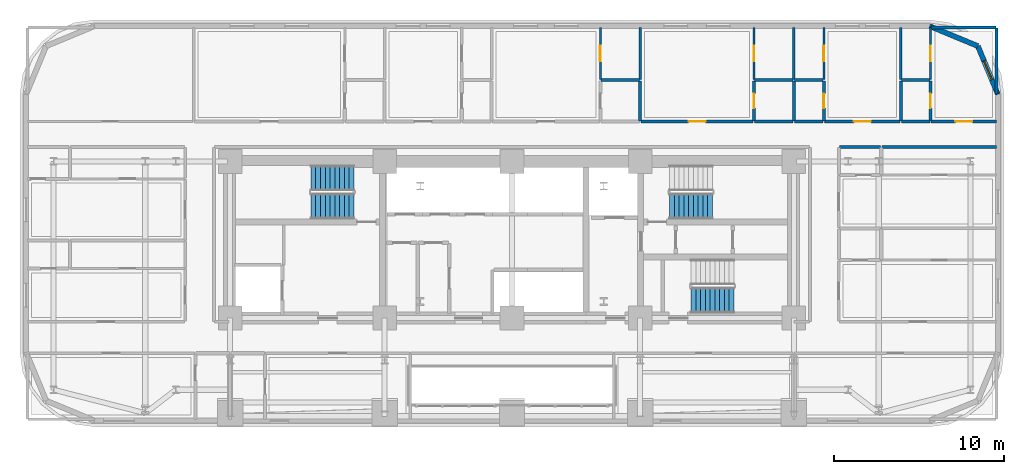
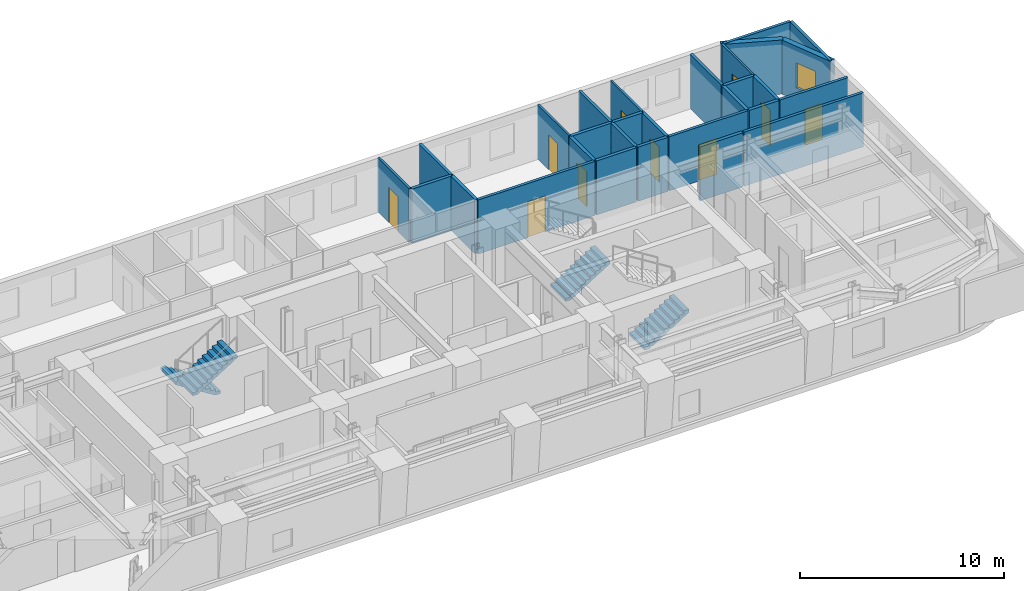
# One storey, part 11 of 15: 29 walls, 10 doors, 4 stair flights, 1 window, 11 openings, 3 elements without a shape of their own.
"""IFC4 building model written with IfcOpenShell, lengths in metres."""

import ifcopenshell
import ifcopenshell.guid

model = None  # the IFC model being written
_history = None  # IfcOwnerHistory: only IFC2X3 demands one
_inside = {}  # id of a spatial element -> (the spatial element, [elements in it])
_under = {}  # id of a project, library or spatial element -> (it, [spatial elements below it])
_declared = {}  # id of a project -> (the project, [libraries it declares])
_typed = {}  # id of a type object -> (the type object, [elements of that type])
_made_of = {}  # id of a material, layer set ... -> (it, [elements and type objects made of it])


def new_model(schema):
    """Start an empty IFC model of exactly this schema.

    Asked for "IFC4X3", IfcOpenShell would pick the latest addendum, in which some entities
    have other attributes; the version numbers below select the first issue.
    IFC2X3 requires an IfcOwnerHistory on every rooted entity: one is made here for all.
    """
    global model, _history
    if schema == "IFC4X3":
        model = ifcopenshell.file(schema_version=(4, 3, 0, 0))
    else:
        model = ifcopenshell.file(schema=schema)
    _inside.clear()
    _under.clear()
    _declared.clear()
    _typed.clear()
    _made_of.clear()
    _history = None
    if model.schema == "IFC2X3":
        org = make("IfcOrganization", Name="unknown")
        user = make(
            "IfcPersonAndOrganization",
            ThePerson=make("IfcPerson", FamilyName="unknown"),
            TheOrganization=org,
        )
        app = make(
            "IfcApplication",
            ApplicationDeveloper=org,
            Version="unknown",
            ApplicationFullName="unknown",
            ApplicationIdentifier="unknown",
        )
        _history = make(
            "IfcOwnerHistory",
            OwningUser=user,
            OwningApplication=app,
            ChangeAction="ADDED",
            CreationDate=0,
        )
    return model


def make(cls, **values):
    """One entity of the class cls with the attributes given. An attribute that is None is left unset."""
    return model.create_entity(
        cls, **{name: value for name, value in values.items() if value is not None}
    )


def rooted(cls, **values):
    """An entity with a GlobalId (a new one), such as an element, a storey or a relation."""
    return make(cls, GlobalId=ifcopenshell.guid.new(), OwnerHistory=_history, **values)


def si_unit(unit_type, name, prefix=None):
    """IfcSIUnit, for example si_unit("LENGTHUNIT", "METRE", prefix="MILLI")."""
    return make("IfcSIUnit", UnitType=unit_type, Prefix=prefix, Name=name)


def assignment(units):
    """IfcUnitAssignment: the units of a project."""
    return None if units is None else make("IfcUnitAssignment", Units=units)


def point(xyz):
    """IfcCartesianPoint."""
    return None if xyz is None else make("IfcCartesianPoint", Coordinates=xyz)


def direction(xyz):
    """IfcDirection."""
    return None if xyz is None else make("IfcDirection", DirectionRatios=xyz)


def frame(location, z_axis=None, x_axis=None):
    """IfcAxis2Placement3D, a coordinate frame: its origin and axes. An axis left out is left unset."""
    return make(
        "IfcAxis2Placement3D",
        Location=point(location),
        Axis=direction(z_axis),
        RefDirection=direction(x_axis),
    )


def frame_2d(location, x_axis=None):
    """IfcAxis2Placement2D, a coordinate frame in the plane: its origin and x axis."""
    return make(
        "IfcAxis2Placement2D", Location=point(location), RefDirection=direction(x_axis)
    )


def origin():
    """The frame at (0, 0, 0) with its axes left unset."""
    return frame((0.0, 0.0, 0.0))


def place(relative_to, where):
    """IfcLocalPlacement: puts the frame where relative to a parent placement (None: the world)."""
    return make(
        "IfcLocalPlacement", PlacementRelTo=relative_to, RelativePlacement=where
    )


def context(
    kind, dimensions, precision=None, world=None, true_north=None, identifier=None
):
    """IfcGeometricRepresentationContext, for example the 3D "Model" context."""
    return make(
        "IfcGeometricRepresentationContext",
        ContextIdentifier=identifier,
        ContextType=kind,
        CoordinateSpaceDimension=dimensions,
        Precision=precision,
        WorldCoordinateSystem=world,
        TrueNorth=true_north,
    )


def subcontext(parent, identifier, kind, view, scale=None):
    """IfcGeometricRepresentationSubContext, for example "Body" below "Model"."""
    return make(
        "IfcGeometricRepresentationSubContext",
        ContextIdentifier=identifier,
        ContextType=kind,
        ParentContext=parent,
        TargetScale=scale,
        TargetView=view,
    )


def project(units=None, contexts=None):
    """IfcProject with its units and contexts."""
    return rooted(
        "IfcProject",
        Name="project",
        RepresentationContexts=contexts,
        UnitsInContext=assignment(units),
    )


def spatial(cls, under=None, at=None, **own):
    """A site, building, storey or space (cls), placed at a placement, below another one or the project."""
    s = rooted(cls, ObjectPlacement=at, **own)
    if under is not None:
        _under.setdefault(under.id(), (under, []))[1].append(s)
    return s


def polyline(points):
    """IfcPolyline through the points."""
    return make("IfcPolyline", Points=[point(p) for p in points])


def profile(cls, at=None, kind="AREA", **sizes):
    """A parametric profile (cls). Its sizes go by their IFC names, for example OverallWidth=200.0."""
    return make(cls, ProfileType=kind, Position=at, **sizes)


def rectangle(**sizes):
    """IfcRectangleProfileDef."""
    return profile("IfcRectangleProfileDef", **sizes)


def outline(outer, holes=None, kind="AREA"):
    """IfcArbitraryClosedProfileDef: a profile drawn as a closed curve; with holes, ...WithVoids."""
    if holes is None:
        return make("IfcArbitraryClosedProfileDef", ProfileType=kind, OuterCurve=outer)
    return make(
        "IfcArbitraryProfileDefWithVoids",
        ProfileType=kind,
        OuterCurve=outer,
        InnerCurves=holes,
    )


def extrude(swept, where, along, depth):
    """IfcExtrudedAreaSolid: the profile swept, set in the frame where, extruded along a direction by depth."""
    return make(
        "IfcExtrudedAreaSolid",
        SweptArea=swept,
        Position=where,
        ExtrudedDirection=direction(along),
        Depth=depth,
    )


def shape(context_of_items, identifier, shape_type, items):
    """IfcShapeRepresentation: the items that make up one representation, for example the "Body"."""
    return make(
        "IfcShapeRepresentation",
        ContextOfItems=context_of_items,
        RepresentationIdentifier=identifier,
        RepresentationType=shape_type,
        Items=items,
    )


def material(Name=None, Category=None):
    """IfcMaterial."""
    return make("IfcMaterial", Name=Name, Category=Category)


def layer(
    of_material, thickness, ventilated=None, Name=None, Category=None, Priority=None
):
    """IfcMaterialLayer: one layer of a wall or slab, of a material (None: an air gap)."""
    return make(
        "IfcMaterialLayer",
        Material=of_material,
        LayerThickness=thickness,
        IsVentilated=ventilated,
        Name=Name,
        Category=Category,
        Priority=Priority,
    )


def layer_set(layers, Name=None):
    """IfcMaterialLayerSet."""
    return make("IfcMaterialLayerSet", MaterialLayers=layers, LayerSetName=Name)


def made_of(thing, what):
    """Note that an element or type object is made of a material, layer set ...; save() writes the relation."""
    if what is not None:
        _made_of.setdefault(what.id(), (what, []))[1].append(thing)
    return thing


def type_object(cls, material=None, **own):
    """A type object (cls), such as IfcWallType, which elements share."""
    return made_of(rooted(cls, **own), material)


def element(
    cls,
    number,
    at=None,
    inside=None,
    cuts=None,
    type_object=None,
    material=None,
    context=None,
    identifier="Body",
    shape_type=None,
    held_by="IfcProductDefinitionShape",
    body=None,
    shapes=None,
    **own,
):
    """One element of the class cls, such as IfcWall. Its Tag is "e" and its number.

    at: its placement. inside: the storey or other place that contains it. cuts: it is an
    opening in that element (IfcRelVoidsElement). A single representation is given by context,
    identifier, shape_type and body (its items); several are given by shapes. held_by: the class
    of the entity that holds the representations. save() writes the other relations.
    """
    e = rooted(cls, Tag="e%d" % number, ObjectPlacement=at, **own)
    if body is not None:
        shapes = [shape(context, identifier, shape_type, body)]
    if shapes is not None:
        e.Representation = make(held_by, Representations=shapes)
    if inside is not None:
        _inside.setdefault(inside.id(), (inside, []))[1].append(e)
    if cuts is not None:
        rooted(
            "IfcRelVoidsElement", RelatingBuildingElement=cuts, RelatedOpeningElement=e
        )
    if type_object is not None:
        _typed.setdefault(type_object.id(), (type_object, []))[1].append(e)
    return made_of(e, material)


def fill(opening, filler):
    """IfcRelFillsElement: the door or window that sits in an opening."""
    return rooted(
        "IfcRelFillsElement",
        RelatingOpeningElement=opening,
        RelatedBuildingElement=filler,
    )


def aggregate(whole, parts):
    """IfcRelAggregates: a whole, such as a stair, and the parts it consists of."""
    return rooted("IfcRelAggregates", RelatingObject=whole, RelatedObjects=parts)


def save(model, path):
    """Write the relations noted so far, then the file.

    IfcRelAggregates (storeys below a building ...), IfcRelContainedInSpatialStructure (elements
    in a storey), IfcRelDefinesByType, IfcRelAssociatesMaterial and IfcRelDeclares: one each for
    every whole, place, type object, material and project.
    """
    for whole, parts in _under.values():
        aggregate(whole, parts)
    for where, things in _inside.values():
        rooted(
            "IfcRelContainedInSpatialStructure",
            RelatedElements=things,
            RelatingStructure=where,
        )
    for kind, things in _typed.values():
        rooted("IfcRelDefinesByType", RelatedObjects=things, RelatingType=kind)
    for what, things in _made_of.values():
        rooted("IfcRelAssociatesMaterial", RelatedObjects=things, RelatingMaterial=what)
    for by, libraries in _declared.values():
        rooted("IfcRelDeclares", RelatingContext=by, RelatedDefinitions=libraries)
    model.write(path)


model = new_model("IFC4")

# Units and contexts
model_context = context("Model", 3, precision=1e-05, world=origin(), true_north=direction((0.0, 1.0)))
body_context = subcontext(model_context, "Body", "Model", "MODEL_VIEW")
ifc_project = project(units=[si_unit("LENGTHUNIT", "METRE"), si_unit("AREAUNIT", "SQUARE_METRE"), si_unit("VOLUMEUNIT", "CUBIC_METRE"), si_unit("PLANEANGLEUNIT", "RADIAN"), si_unit("MASSUNIT", "GRAM", prefix="KILO")], contexts=[model_context])

# Site, building, storey
site_placement = place(None, origin())
site = spatial("IfcSite", under=ifc_project, at=site_placement, CompositionType="ELEMENT")
building_placement = place(site_placement, origin())
building = spatial("IfcBuilding", under=site, at=building_placement, Name="Zarnavel Station Tower", CompositionType="ELEMENT")
storey_placement = place(building_placement, frame((0.0, 0.0, 43.0)))
storey = spatial("IfcBuildingStorey", under=building, at=storey_placement, Name="L11", CompositionType="ELEMENT", Elevation=43.0)

# Wall, opening, window
ifc_material_1 = material(Name="Precast concrete C45/55 (Dark Basalt Finish)", Category="masonry")
ifc_layer_1 = layer(ifc_material_1, 0.300048828125)
ifc_layer_set_1 = layer_set([ifc_layer_1], Name="EW_BASALT_300")
wall_type_1 = type_object("IfcWallType", Name="EW_BASALT_300", PredefinedType="SOLIDWALL", material=ifc_layer_set_1)
wall_1_placement = place(storey_placement, frame((56.24267578125, 43.842529296875, 0.0), z_axis=(0.0, 0.0, 1.0), x_axis=(0.382636798336, -0.92389884758, 0.0)))
wall_1 = element("IfcWall", 1, at=wall_1_placement, inside=storey, type_object=wall_type_1, Name="L11 Exterior Basalt Masonry Frame Wall 04", PredefinedType="SOLIDWALL", context=body_context, shape_type="SweptSolid", body=[
    extrude(rectangle(XDim=3.07666015625, YDim=0.300048828125, at=frame_2d((1.538330078125, 0.0))), origin(), (0.0, 0.0, 1.0), 3.239990234375),
])
opening_1_placement = place(wall_1_placement, frame((0.9384765625, 0.0, 0.75)))
opening_1 = element("IfcOpeningElement", 2, at=opening_1_placement, cuts=wall_1, Name="Opening WN08", PredefinedType="OPENING", context=body_context, shape_type="SweptSolid", body=[
    extrude(rectangle(XDim=1.199951171875, YDim=1.5, at=frame_2d((0.60009765625, 0.75))), frame((0.0, 0.159912109375, 0.0), z_axis=(0.0, -1.0, 0.0), x_axis=(1.0, 0.0, 0.0)), (0.0, 0.0, 1.0), 0.320068359375),
])
ifc_material_2 = material(Name="Thermally Broken Black Aluminium and Low-E Dark Glass", Category="aluminium")
window_type = type_object("IfcWindowType", Name="WN_1200x1500", PartitioningType="SINGLE_PANEL", PredefinedType="WINDOW", material=ifc_material_2)
window_placement = place(opening_1_placement, origin())
window = element("IfcWindow", 3, at=window_placement, inside=storey, type_object=window_type, Name="L11 Recessed Facade Window 01", OverallHeight=1.5, OverallWidth=1.199951171875, PartitioningType="SINGLE_PANEL", PredefinedType="WINDOW", context=body_context, shape_type="SweptSolid", body=[
    extrude(rectangle(XDim=1.199951171875, YDim=1.5, at=frame_2d((0.60009765625, 0.75))), frame((0.0, 0.030029296875, 0.0), z_axis=(0.0, -1.0, 0.0), x_axis=(1.0, 0.0, 0.0)), (0.0, 0.0, 1.0), 0.06005859375),
])
fill(opening_1, window)

# Walls
wall_2_placement = place(storey_placement, frame((53.39990234375, 45.02001953125, 0.0), z_axis=(0.0, 0.0, 1.0), x_axis=(0.923882414032, -0.382676475685, 0.0)))
element("IfcWall", 4, at=wall_2_placement, inside=storey, type_object=wall_type_1, Name="L11 Exterior Basalt Masonry Frame Wall 05", PredefinedType="SOLIDWALL", context=body_context, shape_type="SweptSolid", body=[
    extrude(rectangle(XDim=3.076904296875, YDim=0.300048828125, at=frame_2d((1.53857421875, 0.0))), origin(), (0.0, 0.0, 1.0), 3.239990234375),
])
ifc_material_3 = material(Name="Gypsum Twin-Stud Acoustic Fire Partition", Category="concrete")
ifc_layer_2 = layer(ifc_material_3, 0.159912109375)
ifc_layer_set_2 = layer_set([ifc_layer_2], Name="PT_DEMISE_160")
wall_type_2 = type_object("IfcWallType", Name="PT_DEMISE_160", PredefinedType="PARTITIONING", material=ifc_layer_set_2)
wall_3_placement = place(storey_placement, frame((50.590087890625, 37.89990234375, 0.0), z_axis=(0.0, 0.0, 1.0), x_axis=(1.0, 0.0, 0.0)))
element("IfcWall", 5, at=wall_3_placement, inside=storey, type_object=wall_type_2, Name="L11 Partition COR-N-FNE2S", PredefinedType="PARTITIONING", context=body_context, shape_type="SweptSolid", body=[
    extrude(rectangle(XDim=6.75, YDim=0.159912109375, at=frame_2d((3.375, 0.0))), origin(), (0.0, 0.0, 1.0), 3.239990234375),
])

# Wall, opening, door
wall_4_placement = place(storey_placement, frame((36.389892578125, 39.39990234375, 0.0), z_axis=(0.0, 0.0, 1.0), x_axis=(1.0, 0.0, 0.0)))
wall_4 = element("IfcWall", 6, at=wall_4_placement, inside=storey, type_object=wall_type_2, Name="L11 Partition COR-N-HN4R", PredefinedType="PARTITIONING", context=body_context, shape_type="SweptSolid", body=[
    extrude(rectangle(XDim=6.6201171875, YDim=0.159912109375, at=frame_2d((3.31005859375, 0.0))), origin(), (0.0, 0.0, 1.0), 3.239990234375),
])
opening_2_placement = place(wall_4_placement, frame((2.81005859375, 0.0, 0.0)))
opening_2 = element("IfcOpeningElement", 7, at=opening_2_placement, cuts=wall_4, Name="Opening FD02", PredefinedType="OPENING", context=body_context, shape_type="SweptSolid", body=[
    extrude(rectangle(XDim=1.0, YDim=2.14990234375, at=frame_2d((0.5, 1.074951171875))), frame((0.0, 0.08984375, 0.0), z_axis=(0.0, -1.0, 0.0), x_axis=(1.0, 0.0, 0.0)), (0.0, 0.0, 1.0), 0.179931640625),
])
ifc_material_4 = material(Name="Painted Galvanised Steel and Hardwood Leaf", Category="steel")
door_type_1 = type_object("IfcDoorType", Name="ID_ENTRY_1000", OperationType="NOTDEFINED", PredefinedType="DOOR", material=ifc_material_4)
door_1_placement = place(opening_2_placement, origin())
door_1 = element("IfcDoor", 8, at=door_1_placement, inside=storey, type_object=door_type_1, Name="L11 Door COR-N-HN4R", OperationType="SINGLE_SWING_RIGHT", OverallHeight=2.14990234375, OverallWidth=1.0, PredefinedType="DOOR", context=body_context, shape_type="SweptSolid", body=[
    extrude(rectangle(XDim=1.0, YDim=2.14990234375, at=frame_2d((0.5, 1.074951171875))), frame((0.0, 0.02490234375, 0.0), z_axis=(0.0, -1.0, 0.0), x_axis=(1.0, 0.0, 0.0)), (0.0, 0.0, 1.0), 0.050048828125),
])
fill(opening_2, door_1)

wall_5_placement = place(storey_placement, frame((47.205078125, 39.39990234375, 0.0), z_axis=(0.0, 0.0, 1.0), x_axis=(1.0, 0.0, 0.0)))
wall_5 = element("IfcWall", 9, at=wall_5_placement, inside=storey, type_object=wall_type_2, Name="L11 Partition COR-N-HN5R", PredefinedType="PARTITIONING", context=body_context, shape_type="SweptSolid", body=[
    extrude(rectangle(XDim=4.458984375, YDim=0.159912109375, at=frame_2d((2.2294921875, 0.0))), origin(), (0.0, 0.0, 1.0), 3.239990234375),
])
opening_3_placement = place(wall_5_placement, frame((1.7294921875, 0.0, 0.0)))
opening_3 = element("IfcOpeningElement", 10, at=opening_3_placement, cuts=wall_5, Name="Opening FD02", PredefinedType="OPENING", context=body_context, shape_type="SweptSolid", body=[
    extrude(rectangle(XDim=1.0, YDim=2.14990234375, at=frame_2d((0.5, 1.074951171875))), frame((0.0, 0.08984375, 0.0), z_axis=(0.0, -1.0, 0.0), x_axis=(1.0, 0.0, 0.0)), (0.0, 0.0, 1.0), 0.179931640625),
])
door_2_placement = place(opening_3_placement, origin())
door_2 = element("IfcDoor", 11, at=door_2_placement, inside=storey, type_object=door_type_1, Name="L11 Door COR-N-HN5R", OperationType="SINGLE_SWING_LEFT", OverallHeight=2.14990234375, OverallWidth=1.0, PredefinedType="DOOR", context=body_context, shape_type="SweptSolid", body=[
    extrude(rectangle(XDim=1.0, YDim=2.14990234375, at=frame_2d((0.5, 1.074951171875))), frame((0.0, 0.02490234375, 0.0), z_axis=(0.0, -1.0, 0.0), x_axis=(1.0, 0.0, 0.0)), (0.0, 0.0, 1.0), 0.050048828125),
])
fill(opening_3, door_2)

wall_6_placement = place(storey_placement, frame((53.493896484375, 39.39990234375, 0.0), z_axis=(0.0, 0.0, 1.0), x_axis=(1.0, 0.0, 0.0)))
wall_6 = element("IfcWall", 12, at=wall_6_placement, inside=storey, type_object=wall_type_2, Name="L11 Partition COR-N-HN6R", PredefinedType="PARTITIONING", context=body_context, shape_type="SweptSolid", body=[
    extrude(rectangle(XDim=3.84619140625, YDim=0.159912109375, at=frame_2d((1.923095703125, 0.0))), origin(), (0.0, 0.0, 1.0), 3.239990234375),
])
opening_4_placement = place(wall_6_placement, frame((1.423095703125, 0.0, 0.0)))
opening_4 = element("IfcOpeningElement", 13, at=opening_4_placement, cuts=wall_6, Name="Opening FD02", PredefinedType="OPENING", context=body_context, shape_type="SweptSolid", body=[
    extrude(rectangle(XDim=1.0, YDim=2.14990234375, at=frame_2d((0.5, 1.074951171875))), frame((0.0, 0.08984375, 0.0), z_axis=(0.0, -1.0, 0.0), x_axis=(1.0, 0.0, 0.0)), (0.0, 0.0, 1.0), 0.179931640625),
])
door_3_placement = place(opening_4_placement, origin())
door_3 = element("IfcDoor", 14, at=door_3_placement, inside=storey, type_object=door_type_1, Name="L11 Door COR-N-HN6R", OperationType="SINGLE_SWING_RIGHT", OverallHeight=2.14990234375, OverallWidth=1.0, PredefinedType="DOOR", context=body_context, shape_type="SweptSolid", body=[
    extrude(rectangle(XDim=1.0, YDim=2.14990234375, at=frame_2d((0.5, 1.074951171875))), frame((0.0, 0.02490234375, 0.0), z_axis=(0.0, -1.0, 0.0), x_axis=(1.0, 0.0, 0.0)), (0.0, 0.0, 1.0), 0.050048828125),
])
fill(opening_4, door_3)

# Walls
for number, where, z_axis, x_axis, name in (
    (15, (36.35009765625, 41.8779296875, 0.0), (0.0, 0.0, 1.0), (0.0, 1.0, 0.0), "L11 Partition HN3S-HN4R"),
    (16, (45.39990234375, 41.8779296875, 0.0), (0.0, 0.0, 1.0), (0.0, 1.0, 0.0), "L11 Partition HN4S-HN5S"),
    (17, (51.7041015625, 41.8779296875, 0.0), (0.0, 0.0, 1.0), (0.0, 1.0, 0.0), "L11 Partition HN5R-HN6S"),
):
    element("IfcWall", number, at=place(storey_placement, frame(where, z_axis=z_axis, x_axis=x_axis)), inside=storey, type_object=wall_type_2, Name=name, PredefinedType="PARTITIONING", context=body_context, shape_type="SweptSolid", body=[
        extrude(rectangle(XDim=3.06201171875, YDim=0.159912109375, at=frame_2d((1.531005859375, 0.0))), origin(), (0.0, 0.0, 1.0), 3.239990234375),
    ])
wall_7_placement = place(storey_placement, frame((53.48388671875, 44.93994140625, 0.0), z_axis=(0.0, 0.0, 1.0), x_axis=(1.0, 0.0, 0.0)))
element("IfcWall", 18, at=wall_7_placement, inside=storey, type_object=wall_type_2, Name="L11 Enclosure Wall HN6R", PredefinedType="PARTITIONING", context=body_context, shape_type="SweptSolid", body=[
    extrude(rectangle(XDim=3.826171875, YDim=0.159912109375, at=frame_2d((1.9130859375, 0.0))), origin(), (0.0, 0.0, 1.0), 3.239990234375),
])
wall_8_placement = place(storey_placement, frame((57.340087890625, 41.030029296875, 0.0), z_axis=(0.0, 0.0, 1.0), x_axis=(0.0, 1.0, 0.0)))
element("IfcWall", 19, at=wall_8_placement, inside=storey, type_object=wall_type_2, Name="L11 Enclosure Wall HN6R", PredefinedType="PARTITIONING", context=body_context, shape_type="SweptSolid", body=[
    extrude(rectangle(XDim=3.8798828125, YDim=0.159912109375, at=frame_2d((1.93994140625, 0.0))), origin(), (0.0, 0.0, 1.0), 3.239990234375),
])

# Wall, opening, door
ifc_material_5 = material(Name="Gypsum Metal-Stud Interior Partition", Category="concrete")
ifc_layer_3 = layer(ifc_material_5, 0.1201171875)
ifc_layer_set_3 = layer_set([ifc_layer_3], Name="PT_ROOM_120")
wall_type_3 = type_object("IfcWallType", Name="PT_ROOM_120", PredefinedType="PARTITIONING", material=ifc_layer_set_3)
wall_9_placement = place(storey_placement, frame((34.0, 41.8779296875, 0.0), z_axis=(0.0, 0.0, 1.0), x_axis=(0.0, 1.0, 0.0)))
wall_9 = element("IfcWall", 20, at=wall_9_placement, inside=storey, type_object=wall_type_3, Name="L11 Partition HN3R-HN3S", PredefinedType="PARTITIONING", context=body_context, shape_type="SweptSolid", body=[
    extrude(rectangle(XDim=3.06201171875, YDim=0.1201171875, at=frame_2d((1.531005859375, 0.0))), origin(), (0.0, 0.0, 1.0), 3.239990234375),
])
opening_5_placement = place(wall_9_placement, frame((1.0810546875, 0.0, 0.0)))
opening_5 = element("IfcOpeningElement", 21, at=opening_5_placement, cuts=wall_9, Name="Opening ID01", PredefinedType="OPENING", context=body_context, shape_type="SweptSolid", body=[
    extrude(rectangle(XDim=0.89990234375, YDim=2.10009765625, at=frame_2d((0.449951171875, 1.050048828125))), frame((0.0, 0.070068359375, 0.0), z_axis=(0.0, -1.0, 0.0), x_axis=(1.0, 0.0, 0.0)), (0.0, 0.0, 1.0), 0.14013671875),
])
ifc_material_6 = material(Name="Painted Galvanised Steel and Hardwood Leaf", Category="steel")
door_type_2 = type_object("IfcDoorType", Name="ID_ROOM_900", OperationType="NOTDEFINED", PredefinedType="DOOR", material=ifc_material_6)
door_4_placement = place(opening_5_placement, origin())
door_4 = element("IfcDoor", 22, at=door_4_placement, inside=storey, type_object=door_type_2, Name="L11 Door HN3R-HN3S", OperationType="SINGLE_SWING_RIGHT", OverallHeight=2.10009765625, OverallWidth=0.89990234375, PredefinedType="DOOR", context=body_context, shape_type="SweptSolid", body=[
    extrude(rectangle(XDim=0.89990234375, YDim=2.10009765625, at=frame_2d((0.449951171875, 1.050048828125))), frame((0.0, 0.02490234375, 0.0), z_axis=(0.0, -1.0, 0.0), x_axis=(1.0, 0.0, 0.0)), (0.0, 0.0, 1.0), 0.050048828125),
])
fill(opening_5, door_4)

wall_10_placement = place(storey_placement, frame((43.050048828125, 41.8779296875, 0.0), z_axis=(0.0, 0.0, 1.0), x_axis=(0.0, 1.0, 0.0)))
wall_10 = element("IfcWall", 23, at=wall_10_placement, inside=storey, type_object=wall_type_3, Name="L11 Partition HN4R-HN4S", PredefinedType="PARTITIONING", context=body_context, shape_type="SweptSolid", body=[
    extrude(rectangle(XDim=3.06201171875, YDim=0.1201171875, at=frame_2d((1.531005859375, 0.0))), origin(), (0.0, 0.0, 1.0), 3.239990234375),
])
opening_6_placement = place(wall_10_placement, frame((1.0810546875, 0.0, 0.0)))
opening_6 = element("IfcOpeningElement", 24, at=opening_6_placement, cuts=wall_10, Name="Opening ID01", PredefinedType="OPENING", context=body_context, shape_type="SweptSolid", body=[
    extrude(rectangle(XDim=0.89990234375, YDim=2.10009765625, at=frame_2d((0.449951171875, 1.050048828125))), frame((0.0, 0.070068359375, 0.0), z_axis=(0.0, -1.0, 0.0), x_axis=(1.0, 0.0, 0.0)), (0.0, 0.0, 1.0), 0.14013671875),
])
door_5_placement = place(opening_6_placement, origin())
door_5 = element("IfcDoor", 25, at=door_5_placement, inside=storey, type_object=door_type_2, Name="L11 Door HN4R-HN4S", OperationType="SINGLE_SWING_RIGHT", OverallHeight=2.10009765625, OverallWidth=0.89990234375, PredefinedType="DOOR", context=body_context, shape_type="SweptSolid", body=[
    extrude(rectangle(XDim=0.89990234375, YDim=2.10009765625, at=frame_2d((0.449951171875, 1.050048828125))), frame((0.0, 0.02490234375, 0.0), z_axis=(0.0, -1.0, 0.0), x_axis=(1.0, 0.0, 0.0)), (0.0, 0.0, 1.0), 0.050048828125),
])
fill(opening_6, door_5)

wall_11_placement = place(storey_placement, frame((47.1650390625, 41.8779296875, 0.0), z_axis=(0.0, 0.0, 1.0), x_axis=(0.0, 1.0, 0.0)))
wall_11 = element("IfcWall", 26, at=wall_11_placement, inside=storey, type_object=wall_type_3, Name="L11 Partition HN5R-HN5S", PredefinedType="PARTITIONING", context=body_context, shape_type="SweptSolid", body=[
    extrude(rectangle(XDim=3.06201171875, YDim=0.1201171875, at=frame_2d((1.531005859375, 0.0))), origin(), (0.0, 0.0, 1.0), 3.239990234375),
])
opening_7_placement = place(wall_11_placement, frame((1.0810546875, 0.0, 0.0)))
opening_7 = element("IfcOpeningElement", 27, at=opening_7_placement, cuts=wall_11, Name="Opening ID01", PredefinedType="OPENING", context=body_context, shape_type="SweptSolid", body=[
    extrude(rectangle(XDim=0.89990234375, YDim=2.10009765625, at=frame_2d((0.449951171875, 1.050048828125))), frame((0.0, 0.070068359375, 0.0), z_axis=(0.0, -1.0, 0.0), x_axis=(1.0, 0.0, 0.0)), (0.0, 0.0, 1.0), 0.14013671875),
])
door_6_placement = place(opening_7_placement, origin())
door_6 = element("IfcDoor", 28, at=door_6_placement, inside=storey, type_object=door_type_2, Name="L11 Door HN5R-HN5S", OperationType="SINGLE_SWING_RIGHT", OverallHeight=2.10009765625, OverallWidth=0.89990234375, PredefinedType="DOOR", context=body_context, shape_type="SweptSolid", body=[
    extrude(rectangle(XDim=0.89990234375, YDim=2.10009765625, at=frame_2d((0.449951171875, 1.050048828125))), frame((0.0, 0.02490234375, 0.0), z_axis=(0.0, -1.0, 0.0), x_axis=(1.0, 0.0, 0.0)), (0.0, 0.0, 1.0), 0.050048828125),
])
fill(opening_7, door_6)

wall_12_placement = place(storey_placement, frame((53.4541015625, 41.8779296875, 0.0), z_axis=(0.0, 0.0, 1.0), x_axis=(0.0, 1.0, 0.0)))
wall_12 = element("IfcWall", 29, at=wall_12_placement, inside=storey, type_object=wall_type_3, Name="L11 Partition HN6R-HN6S", PredefinedType="PARTITIONING", context=body_context, shape_type="SweptSolid", body=[
    extrude(rectangle(XDim=3.06201171875, YDim=0.1201171875, at=frame_2d((1.531005859375, 0.0))), origin(), (0.0, 0.0, 1.0), 3.239990234375),
])
opening_8_placement = place(wall_12_placement, frame((1.0810546875, 0.0, 0.0)))
opening_8 = element("IfcOpeningElement", 30, at=opening_8_placement, cuts=wall_12, Name="Opening ID01", PredefinedType="OPENING", context=body_context, shape_type="SweptSolid", body=[
    extrude(rectangle(XDim=0.89990234375, YDim=2.10009765625, at=frame_2d((0.449951171875, 1.050048828125))), frame((0.0, 0.070068359375, 0.0), z_axis=(0.0, -1.0, 0.0), x_axis=(1.0, 0.0, 0.0)), (0.0, 0.0, 1.0), 0.14013671875),
])
door_7_placement = place(opening_8_placement, origin())
door_7 = element("IfcDoor", 31, at=door_7_placement, inside=storey, type_object=door_type_2, Name="L11 Door HN6R-HN6S", OperationType="SINGLE_SWING_RIGHT", OverallHeight=2.10009765625, OverallWidth=0.89990234375, PredefinedType="DOOR", context=body_context, shape_type="SweptSolid", body=[
    extrude(rectangle(XDim=0.89990234375, YDim=2.10009765625, at=frame_2d((0.449951171875, 1.050048828125))), frame((0.0, 0.02490234375, 0.0), z_axis=(0.0, -1.0, 0.0), x_axis=(1.0, 0.0, 0.0)), (0.0, 0.0, 1.0), 0.050048828125),
])
fill(opening_8, door_7)

# Walls
ifc_material_7 = material(Name="Moisture-Resistant Plumbing Chase Wall", Category="concrete")
ifc_layer_4 = layer(ifc_material_7, 0.179931640625)
ifc_layer_set_4 = layer_set([ifc_layer_4], Name="PW_PLUMB_180")
wall_type_4 = type_object("IfcWallType", Name="PW_PLUMB_180", PredefinedType="PLUMBINGWALL", material=ifc_layer_set_4)
wall_13_placement = place(storey_placement, frame((48.090087890625, 37.89990234375, 0.0), z_axis=(0.0, 0.0, 1.0), x_axis=(1.0, 0.0, 0.0)))
element("IfcWall", 32, at=wall_13_placement, inside=storey, type_object=wall_type_4, Name="L11 Partition COR-N-FNE2B", PredefinedType="PLUMBINGWALL", context=body_context, shape_type="SweptSolid", body=[
    extrude(rectangle(XDim=2.419921875, YDim=0.179931640625, at=frame_2d((1.2099609375, 0.0))), origin(), (0.0, 0.0, 1.0), 3.239990234375),
])
wall_14_placement = place(storey_placement, frame((43.090087890625, 39.39990234375, 0.0), z_axis=(0.0, 0.0, 1.0), x_axis=(1.0, 0.0, 0.0)))
element("IfcWall", 33, at=wall_14_placement, inside=storey, type_object=wall_type_4, Name="L11 Partition COR-N-HN4B", PredefinedType="PLUMBINGWALL", context=body_context, shape_type="SweptSolid", body=[
    extrude(rectangle(XDim=2.27001953125, YDim=0.179931640625, at=frame_2d((1.135009765625, 0.0))), origin(), (0.0, 0.0, 1.0), 3.239990234375),
])
wall_15_placement = place(storey_placement, frame((45.43994140625, 39.39990234375, 0.0), z_axis=(0.0, 0.0, 1.0), x_axis=(1.0, 0.0, 0.0)))
element("IfcWall", 34, at=wall_15_placement, inside=storey, type_object=wall_type_4, Name="L11 Partition COR-N-HN5B", PredefinedType="PLUMBINGWALL", context=body_context, shape_type="SweptSolid", body=[
    extrude(rectangle(XDim=1.68505859375, YDim=0.179931640625, at=frame_2d((0.842529296875, 0.0))), origin(), (0.0, 0.0, 1.0), 3.239990234375),
])
wall_16_placement = place(storey_placement, frame((51.743896484375, 39.39990234375, 0.0), z_axis=(0.0, 0.0, 1.0), x_axis=(1.0, 0.0, 0.0)))
element("IfcWall", 35, at=wall_16_placement, inside=storey, type_object=wall_type_4, Name="L11 Partition COR-N-HN6B", PredefinedType="PLUMBINGWALL", context=body_context, shape_type="SweptSolid", body=[
    extrude(rectangle(XDim=1.670166015625, YDim=0.179931640625, at=frame_2d((0.8349609375, 0.0))), origin(), (0.0, 0.0, 1.0), 3.239990234375),
])
wall_17_placement = place(storey_placement, frame((34.0400390625, 41.837890625, 0.0), z_axis=(0.0, 0.0, 1.0), x_axis=(1.0, 0.0, 0.0)))
element("IfcWall", 36, at=wall_17_placement, inside=storey, type_object=wall_type_4, Name="L11 Partition HN3B-HN3S", PredefinedType="PLUMBINGWALL", context=body_context, shape_type="SweptSolid", body=[
    extrude(rectangle(XDim=2.27001953125, YDim=0.179931640625, at=frame_2d((1.135009765625, 0.0))), origin(), (0.0, 0.0, 1.0), 3.239990234375),
])
wall_18_placement = place(storey_placement, frame((36.35009765625, 39.43994140625, 0.0), z_axis=(0.0, 0.0, 1.0), x_axis=(0.0, 1.0, 0.0)))
element("IfcWall", 37, at=wall_18_placement, inside=storey, type_object=wall_type_4, Name="L11 Partition HN3B-HN4R", PredefinedType="PLUMBINGWALL", context=body_context, shape_type="SweptSolid", body=[
    extrude(rectangle(XDim=2.358154296875, YDim=0.179931640625, at=frame_2d((1.17919921875, 0.0))), origin(), (0.0, 0.0, 1.0), 3.239990234375),
])

# Wall, opening, door
wall_19_placement = place(storey_placement, frame((43.050048828125, 39.43994140625, 0.0), z_axis=(0.0, 0.0, 1.0), x_axis=(0.0, 1.0, 0.0)))
wall_19 = element("IfcWall", 38, at=wall_19_placement, inside=storey, type_object=wall_type_4, Name="L11 Partition HN4R-HN4B", PredefinedType="PLUMBINGWALL", context=body_context, shape_type="SweptSolid", body=[
    extrude(rectangle(XDim=2.358154296875, YDim=0.179931640625, at=frame_2d((1.17919921875, 0.0))), origin(), (0.0, 0.0, 1.0), 3.239990234375),
])
opening_9_placement = place(wall_19_placement, frame((0.75390625, 0.0, 0.0)))
opening_9 = element("IfcOpeningElement", 39, at=opening_9_placement, cuts=wall_19, Name="Opening ID02", PredefinedType="OPENING", context=body_context, shape_type="SweptSolid", body=[
    extrude(rectangle(XDim=0.85009765625, YDim=2.10009765625, at=frame_2d((0.425048828125, 1.050048828125))), frame((0.0, 0.099853515625, 0.0), z_axis=(0.0, -1.0, 0.0), x_axis=(1.0, 0.0, 0.0)), (0.0, 0.0, 1.0), 0.199951171875),
])
ifc_material_8 = material(Name="Painted Galvanised Steel and Hardwood Leaf", Category="steel")
door_type_3 = type_object("IfcDoorType", Name="ID_BATH_850", OperationType="NOTDEFINED", PredefinedType="DOOR", material=ifc_material_8)
door_8_placement = place(opening_9_placement, origin())
door_8 = element("IfcDoor", 40, at=door_8_placement, inside=storey, type_object=door_type_3, Name="L11 Door HN4R-HN4B", OperationType="SINGLE_SWING_LEFT", OverallHeight=2.10009765625, OverallWidth=0.85009765625, PredefinedType="DOOR", context=body_context, shape_type="SweptSolid", body=[
    extrude(rectangle(XDim=0.85009765625, YDim=2.10009765625, at=frame_2d((0.425048828125, 1.050048828125))), frame((0.0, 0.02490234375, 0.0), z_axis=(0.0, -1.0, 0.0), x_axis=(1.0, 0.0, 0.0)), (0.0, 0.0, 1.0), 0.050048828125),
])
fill(opening_9, door_8)

# Walls
wall_20_placement = place(storey_placement, frame((43.090087890625, 41.837890625, 0.0), z_axis=(0.0, 0.0, 1.0), x_axis=(1.0, 0.0, 0.0)))
element("IfcWall", 41, at=wall_20_placement, inside=storey, type_object=wall_type_4, Name="L11 Partition HN4B-HN4S", PredefinedType="PLUMBINGWALL", context=body_context, shape_type="SweptSolid", body=[
    extrude(rectangle(XDim=2.27001953125, YDim=0.179931640625, at=frame_2d((1.135009765625, 0.0))), origin(), (0.0, 0.0, 1.0), 3.239990234375),
])
wall_21_placement = place(storey_placement, frame((45.39990234375, 39.43994140625, 0.0), z_axis=(0.0, 0.0, 1.0), x_axis=(0.0, 1.0, 0.0)))
element("IfcWall", 42, at=wall_21_placement, inside=storey, type_object=wall_type_4, Name="L11 Partition HN4B-HN5B", PredefinedType="PLUMBINGWALL", context=body_context, shape_type="SweptSolid", body=[
    extrude(rectangle(XDim=2.358154296875, YDim=0.179931640625, at=frame_2d((1.17919921875, 0.0))), origin(), (0.0, 0.0, 1.0), 3.239990234375),
])

# Wall, opening, door
wall_22_placement = place(storey_placement, frame((47.1650390625, 39.43994140625, 0.0), z_axis=(0.0, 0.0, 1.0), x_axis=(0.0, 1.0, 0.0)))
wall_22 = element("IfcWall", 43, at=wall_22_placement, inside=storey, type_object=wall_type_4, Name="L11 Partition HN5R-HN5B", PredefinedType="PLUMBINGWALL", context=body_context, shape_type="SweptSolid", body=[
    extrude(rectangle(XDim=2.358154296875, YDim=0.179931640625, at=frame_2d((1.17919921875, 0.0))), origin(), (0.0, 0.0, 1.0), 3.239990234375),
])
opening_10_placement = place(wall_22_placement, frame((0.75390625, 0.0, 0.0)))
opening_10 = element("IfcOpeningElement", 44, at=opening_10_placement, cuts=wall_22, Name="Opening ID02", PredefinedType="OPENING", context=body_context, shape_type="SweptSolid", body=[
    extrude(rectangle(XDim=0.85009765625, YDim=2.10009765625, at=frame_2d((0.425048828125, 1.050048828125))), frame((0.0, 0.099853515625, 0.0), z_axis=(0.0, -1.0, 0.0), x_axis=(1.0, 0.0, 0.0)), (0.0, 0.0, 1.0), 0.199951171875),
])
door_9_placement = place(opening_10_placement, origin())
door_9 = element("IfcDoor", 45, at=door_9_placement, inside=storey, type_object=door_type_3, Name="L11 Door HN5R-HN5B", OperationType="SINGLE_SWING_LEFT", OverallHeight=2.10009765625, OverallWidth=0.85009765625, PredefinedType="DOOR", context=body_context, shape_type="SweptSolid", body=[
    extrude(rectangle(XDim=0.85009765625, YDim=2.10009765625, at=frame_2d((0.425048828125, 1.050048828125))), frame((0.0, 0.02490234375, 0.0), z_axis=(0.0, -1.0, 0.0), x_axis=(1.0, 0.0, 0.0)), (0.0, 0.0, 1.0), 0.050048828125),
])
fill(opening_10, door_9)

# Walls
wall_23_placement = place(storey_placement, frame((51.7041015625, 39.43994140625, 0.0), z_axis=(0.0, 0.0, 1.0), x_axis=(0.0, 1.0, 0.0)))
element("IfcWall", 46, at=wall_23_placement, inside=storey, type_object=wall_type_4, Name="L11 Partition HN5R-HN6B", PredefinedType="PLUMBINGWALL", context=body_context, shape_type="SweptSolid", body=[
    extrude(rectangle(XDim=2.358154296875, YDim=0.179931640625, at=frame_2d((1.17919921875, 0.0))), origin(), (0.0, 0.0, 1.0), 3.239990234375),
])
wall_24_placement = place(storey_placement, frame((45.43994140625, 41.837890625, 0.0), z_axis=(0.0, 0.0, 1.0), x_axis=(1.0, 0.0, 0.0)))
element("IfcWall", 47, at=wall_24_placement, inside=storey, type_object=wall_type_4, Name="L11 Partition HN5B-HN5S", PredefinedType="PLUMBINGWALL", context=body_context, shape_type="SweptSolid", body=[
    extrude(rectangle(XDim=1.68505859375, YDim=0.179931640625, at=frame_2d((0.842529296875, 0.0))), origin(), (0.0, 0.0, 1.0), 3.239990234375),
])

# Wall, opening, door
wall_25_placement = place(storey_placement, frame((53.4541015625, 39.43994140625, 0.0), z_axis=(0.0, 0.0, 1.0), x_axis=(0.0, 1.0, 0.0)))
wall_25 = element("IfcWall", 48, at=wall_25_placement, inside=storey, type_object=wall_type_4, Name="L11 Partition HN6R-HN6B", PredefinedType="PLUMBINGWALL", context=body_context, shape_type="SweptSolid", body=[
    extrude(rectangle(XDim=2.358154296875, YDim=0.179931640625, at=frame_2d((1.17919921875, 0.0))), origin(), (0.0, 0.0, 1.0), 3.239990234375),
])
opening_11_placement = place(wall_25_placement, frame((0.75390625, 0.0, 0.0)))
opening_11 = element("IfcOpeningElement", 49, at=opening_11_placement, cuts=wall_25, Name="Opening ID02", PredefinedType="OPENING", context=body_context, shape_type="SweptSolid", body=[
    extrude(rectangle(XDim=0.85009765625, YDim=2.10009765625, at=frame_2d((0.425048828125, 1.050048828125))), frame((0.0, 0.099853515625, 0.0), z_axis=(0.0, -1.0, 0.0), x_axis=(1.0, 0.0, 0.0)), (0.0, 0.0, 1.0), 0.199951171875),
])
door_10_placement = place(opening_11_placement, origin())
door_10 = element("IfcDoor", 50, at=door_10_placement, inside=storey, type_object=door_type_3, Name="L11 Door HN6R-HN6B", OperationType="SINGLE_SWING_LEFT", OverallHeight=2.10009765625, OverallWidth=0.85009765625, PredefinedType="DOOR", context=body_context, shape_type="SweptSolid", body=[
    extrude(rectangle(XDim=0.85009765625, YDim=2.10009765625, at=frame_2d((0.425048828125, 1.050048828125))), frame((0.0, 0.02490234375, 0.0), z_axis=(0.0, -1.0, 0.0), x_axis=(1.0, 0.0, 0.0)), (0.0, 0.0, 1.0), 0.050048828125),
])
fill(opening_11, door_10)

# Wall
wall_26_placement = place(storey_placement, frame((51.743896484375, 41.837890625, 0.0), z_axis=(0.0, 0.0, 1.0), x_axis=(1.0, 0.0, 0.0)))
element("IfcWall", 51, at=wall_26_placement, inside=storey, type_object=wall_type_4, Name="L11 Partition HN6B-HN6S", PredefinedType="PLUMBINGWALL", context=body_context, shape_type="SweptSolid", body=[
    extrude(rectangle(XDim=1.670166015625, YDim=0.179931640625, at=frame_2d((0.8349609375, 0.0))), origin(), (0.0, 0.0, 1.0), 3.239990234375),
])

# Stair, stair flights
ifc_material_9 = material(Name="Concrete C45/55", Category="concrete")
stair_type = type_object("IfcStairType", Name="ST_CORE_150", PredefinedType="HALF_TURN_STAIR", material=ifc_material_9)
stair_1_placement = place(storey_placement, origin())
stair_1 = element("IfcStair", 52, at=stair_1_placement, inside=storey, type_object=stair_type, Name="L11 Core Exit Stair ST1", PredefinedType="HALF_TURN_STAIR")
ifc_material_10 = material(Name="Concrete C45/55", Category="concrete")
ifc_layer_5 = layer(ifc_material_10, 0.179931640625)
ifc_layer_set_5 = layer_set([ifc_layer_5], Name="ST_CORE_150_FLT")
stair_flight_type = type_object("IfcStairFlightType", Name="ST_CORE_150_FLT", PredefinedType="STRAIGHT", material=ifc_layer_set_5)
stair_flight_1_placement = place(storey_placement, frame((19.47998046875, 36.070068359375, 0.0), z_axis=(0.0, 0.0, 1.0), x_axis=(-1.0, 0.0, 0.0)))
stair_flight_1 = element("IfcStairFlight", 53, at=stair_flight_1_placement, type_object=stair_flight_type, Name="ST1 flight 1", NumberOfRisers=10, NumberOfTreads=9, PredefinedType="STRAIGHT", RiserHeight=0.175, TreadLength=0.28, context=body_context, shape_type="SweptSolid", body=[
    extrude(outline(polyline([(0.0, 0.0), (0.0, 0.175048828125), (0.280029296875, 0.175048828125), (0.280029296875, 0.35009765625), (0.56005859375, 0.35009765625), (0.56005859375, 0.52490234375), (0.840087890625, 0.52490234375), (0.840087890625, 0.699951171875), (1.1201171875, 0.699951171875), (1.1201171875, 0.875), (1.39990234375, 0.875), (1.39990234375, 1.050048828125), (1.679931640625, 1.050048828125), (1.679931640625, 1.22509765625), (1.9599609375, 1.22509765625), (1.9599609375, 1.39990234375), (2.239990234375, 1.39990234375), (2.239990234375, 1.574951171875), (2.52001953125, 1.574951171875), (2.52001953125, 1.75), (2.52001953125, 1.398193359375), (0.28271484375, 0.0), (0.0, 0.0)])), frame((0.0, 0.75, 0.0), z_axis=(0.0, -1.0, 0.0), x_axis=(1.0, 0.0, 0.0)), (0.0, 0.0, 1.0), 1.5),
])
stair_flight_2_placement = place(storey_placement, frame((16.9599609375, 34.409912109375, 1.75), z_axis=(0.0, 0.0, 1.0), x_axis=(1.0, 0.0, 0.0)))
stair_flight_2 = element("IfcStairFlight", 54, at=stair_flight_2_placement, type_object=stair_flight_type, Name="ST1 flight 2", NumberOfRisers=10, NumberOfTreads=9, PredefinedType="STRAIGHT", RiserHeight=0.175, TreadLength=0.28, context=body_context, shape_type="SweptSolid", body=[
    extrude(outline(polyline([(0.0, 0.0), (0.0, 0.175048828125), (0.280029296875, 0.175048828125), (0.280029296875, 0.35009765625), (0.56005859375, 0.35009765625), (0.56005859375, 0.52490234375), (0.840087890625, 0.52490234375), (0.840087890625, 0.699951171875), (1.1201171875, 0.699951171875), (1.1201171875, 0.875), (1.39990234375, 0.875), (1.39990234375, 1.050048828125), (1.679931640625, 1.050048828125), (1.679931640625, 1.22509765625), (1.9599609375, 1.22509765625), (1.9599609375, 1.39990234375), (2.239990234375, 1.39990234375), (2.239990234375, 1.574951171875), (2.52001953125, 1.574951171875), (2.52001953125, 1.75), (2.52001953125, 1.398193359375), (0.28271484375, 0.0), (0.0, 0.0)])), frame((0.0, 0.75, 0.0), z_axis=(0.0, -1.0, 0.0), x_axis=(1.0, 0.0, 0.0)), (0.0, 0.0, 1.0), 1.5),
])
aggregate(stair_1, [stair_flight_1, stair_flight_2])

# Stair, stair flight
stair_2_placement = place(storey_placement, origin())
stair_2 = element("IfcStair", 55, at=stair_2_placement, inside=storey, type_object=stair_type, Name="L11 Core Exit Stair ST2", PredefinedType="HALF_TURN_STAIR")
stair_flight_3_placement = place(storey_placement, frame((38.080078125, 34.409912109375, 0.0), z_axis=(0.0, 0.0, 1.0), x_axis=(1.0, 0.0, 0.0)))
stair_flight_3 = element("IfcStairFlight", 56, at=stair_flight_3_placement, type_object=stair_flight_type, Name="ST2 flight 1", NumberOfRisers=10, NumberOfTreads=9, PredefinedType="STRAIGHT", RiserHeight=0.175, TreadLength=0.28, context=body_context, shape_type="SweptSolid", body=[
    extrude(outline(polyline([(0.0, 0.0), (0.0, 0.175048828125), (0.280029296875, 0.175048828125), (0.280029296875, 0.35009765625), (0.56005859375, 0.35009765625), (0.56005859375, 0.52490234375), (0.840087890625, 0.52490234375), (0.840087890625, 0.699951171875), (1.1201171875, 0.699951171875), (1.1201171875, 0.875), (1.39990234375, 0.875), (1.39990234375, 1.050048828125), (1.679931640625, 1.050048828125), (1.679931640625, 1.22509765625), (1.9599609375, 1.22509765625), (1.9599609375, 1.39990234375), (2.239990234375, 1.39990234375), (2.239990234375, 1.574951171875), (2.52001953125, 1.574951171875), (2.52001953125, 1.75), (2.52001953125, 1.398193359375), (0.28271484375, 0.0), (0.0, 0.0)])), frame((0.0, 0.75, 0.0), z_axis=(0.0, -1.0, 0.0), x_axis=(1.0, 0.0, 0.0)), (0.0, 0.0, 1.0), 1.5),
])
aggregate(stair_2, [stair_flight_3])

stair_3_placement = place(storey_placement, origin())
stair_3 = element("IfcStair", 57, at=stair_3_placement, inside=storey, type_object=stair_type, Name="L11 Core Exit Stair ST3", PredefinedType="HALF_TURN_STAIR")
stair_flight_4_placement = place(storey_placement, frame((39.35009765625, 28.8701171875, 0.0), z_axis=(0.0, 0.0, 1.0), x_axis=(1.0, 0.0, 0.0)))
stair_flight_4 = element("IfcStairFlight", 58, at=stair_flight_4_placement, type_object=stair_flight_type, Name="ST3 flight 1", NumberOfRisers=10, NumberOfTreads=9, PredefinedType="STRAIGHT", RiserHeight=0.175, TreadLength=0.28, context=body_context, shape_type="SweptSolid", body=[
    extrude(outline(polyline([(0.0, 0.0), (0.0, 0.175048828125), (0.280029296875, 0.175048828125), (0.280029296875, 0.35009765625), (0.56005859375, 0.35009765625), (0.56005859375, 0.52490234375), (0.840087890625, 0.52490234375), (0.840087890625, 0.699951171875), (1.1201171875, 0.699951171875), (1.1201171875, 0.875), (1.39990234375, 0.875), (1.39990234375, 1.050048828125), (1.679931640625, 1.050048828125), (1.679931640625, 1.22509765625), (1.9599609375, 1.22509765625), (1.9599609375, 1.39990234375), (2.239990234375, 1.39990234375), (2.239990234375, 1.574951171875), (2.52001953125, 1.574951171875), (2.52001953125, 1.75), (2.52001953125, 1.398193359375), (0.28271484375, 0.0), (0.0, 0.0)])), frame((0.0, 0.75, 0.0), z_axis=(0.0, -1.0, 0.0), x_axis=(1.0, 0.0, 0.0)), (0.0, 0.0, 1.0), 1.5),
])
aggregate(stair_3, [stair_flight_4])

save(model, "model.ifc")
